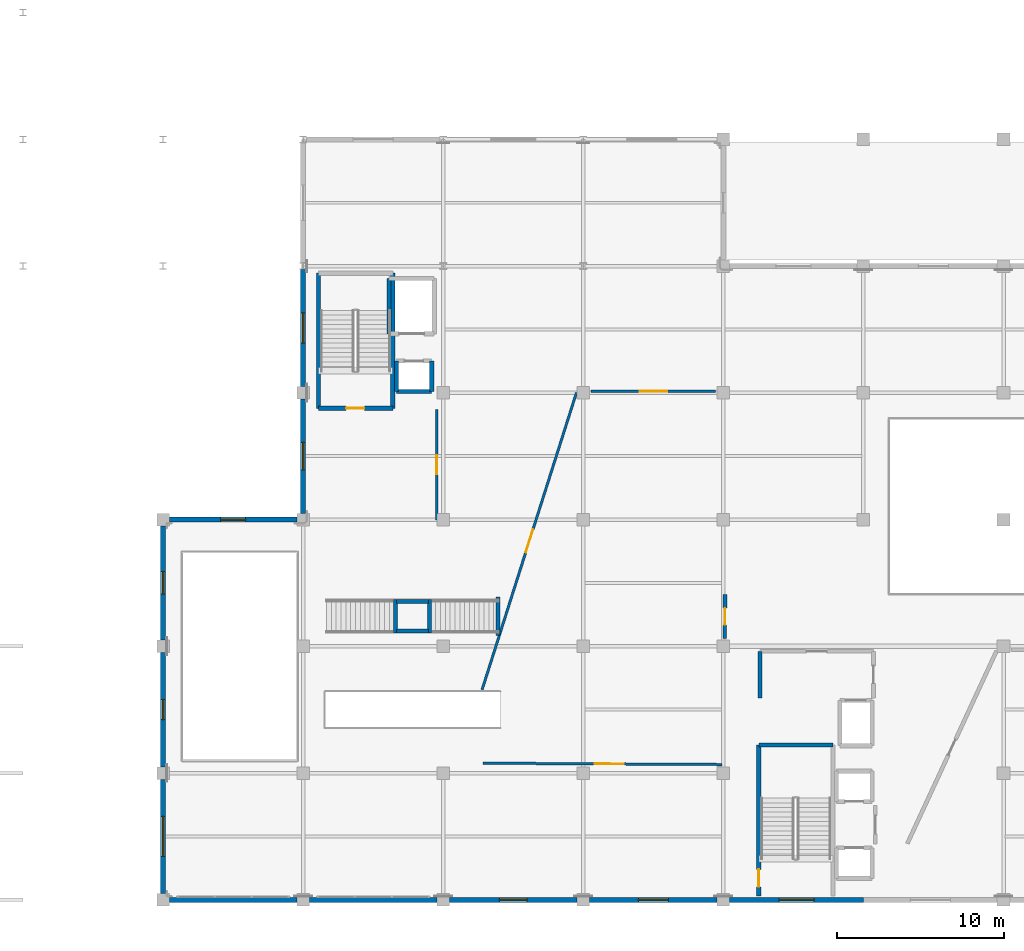
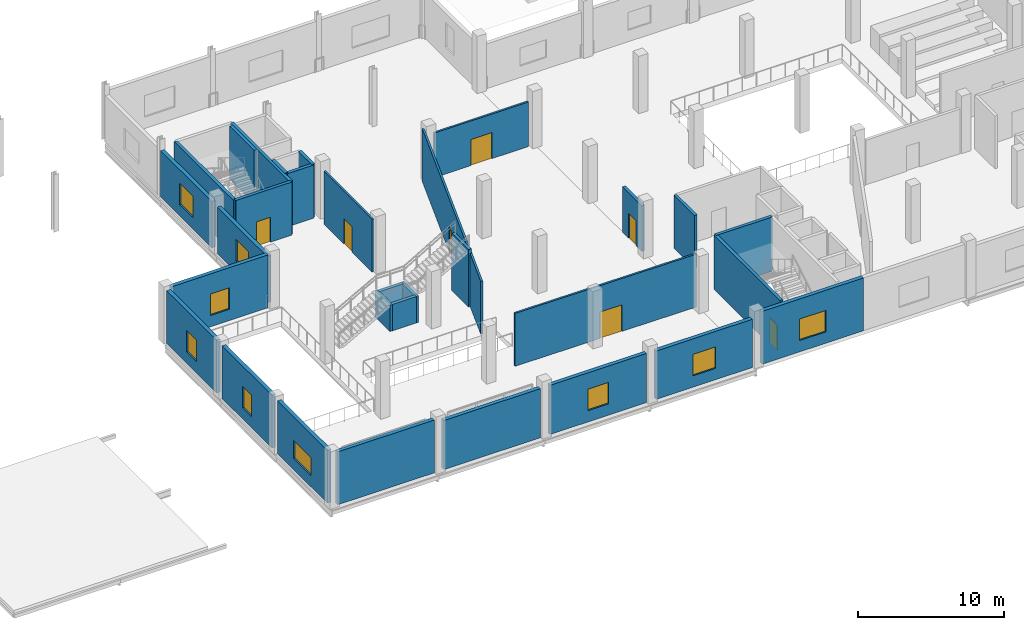
# One storey, part 24 of 51: 31 walls, 9 windows, 7 doors, 16 openings.
"""IFC4 building model written with IfcOpenShell, lengths in metres."""

import ifcopenshell
import ifcopenshell.guid

model = None  # the IFC model being written
_history = None  # IfcOwnerHistory: only IFC2X3 demands one
_inside = {}  # id of a spatial element -> (the spatial element, [elements in it])
_under = {}  # id of a project, library or spatial element -> (it, [spatial elements below it])
_declared = {}  # id of a project -> (the project, [libraries it declares])
_typed = {}  # id of a type object -> (the type object, [elements of that type])
_made_of = {}  # id of a material, layer set ... -> (it, [elements and type objects made of it])


def new_model(schema):
    """Start an empty IFC model of exactly this schema.

    Asked for "IFC4X3", IfcOpenShell would pick the latest addendum, in which some entities
    have other attributes; the version numbers below select the first issue.
    IFC2X3 requires an IfcOwnerHistory on every rooted entity: one is made here for all.
    """
    global model, _history
    if schema == "IFC4X3":
        model = ifcopenshell.file(schema_version=(4, 3, 0, 0))
    else:
        model = ifcopenshell.file(schema=schema)
    _inside.clear()
    _under.clear()
    _declared.clear()
    _typed.clear()
    _made_of.clear()
    _history = None
    if model.schema == "IFC2X3":
        org = make("IfcOrganization", Name="unknown")
        user = make(
            "IfcPersonAndOrganization",
            ThePerson=make("IfcPerson", FamilyName="unknown"),
            TheOrganization=org,
        )
        app = make(
            "IfcApplication",
            ApplicationDeveloper=org,
            Version="unknown",
            ApplicationFullName="unknown",
            ApplicationIdentifier="unknown",
        )
        _history = make(
            "IfcOwnerHistory",
            OwningUser=user,
            OwningApplication=app,
            ChangeAction="ADDED",
            CreationDate=0,
        )
    return model


def make(cls, **values):
    """One entity of the class cls with the attributes given. An attribute that is None is left unset."""
    return model.create_entity(
        cls, **{name: value for name, value in values.items() if value is not None}
    )


def rooted(cls, **values):
    """An entity with a GlobalId (a new one), such as an element, a storey or a relation."""
    return make(cls, GlobalId=ifcopenshell.guid.new(), OwnerHistory=_history, **values)


def si_unit(unit_type, name, prefix=None):
    """IfcSIUnit, for example si_unit("LENGTHUNIT", "METRE", prefix="MILLI")."""
    return make("IfcSIUnit", UnitType=unit_type, Prefix=prefix, Name=name)


def assignment(units):
    """IfcUnitAssignment: the units of a project."""
    return None if units is None else make("IfcUnitAssignment", Units=units)


def point(xyz):
    """IfcCartesianPoint."""
    return None if xyz is None else make("IfcCartesianPoint", Coordinates=xyz)


def direction(xyz):
    """IfcDirection."""
    return None if xyz is None else make("IfcDirection", DirectionRatios=xyz)


def frame(location, z_axis=None, x_axis=None):
    """IfcAxis2Placement3D, a coordinate frame: its origin and axes. An axis left out is left unset."""
    return make(
        "IfcAxis2Placement3D",
        Location=point(location),
        Axis=direction(z_axis),
        RefDirection=direction(x_axis),
    )


def frame_2d(location, x_axis=None):
    """IfcAxis2Placement2D, a coordinate frame in the plane: its origin and x axis."""
    return make(
        "IfcAxis2Placement2D", Location=point(location), RefDirection=direction(x_axis)
    )


def origin():
    """The frame at (0, 0, 0) with its axes left unset."""
    return frame((0.0, 0.0, 0.0))


def place(relative_to, where):
    """IfcLocalPlacement: puts the frame where relative to a parent placement (None: the world)."""
    return make(
        "IfcLocalPlacement", PlacementRelTo=relative_to, RelativePlacement=where
    )


def context(
    kind, dimensions, precision=None, world=None, true_north=None, identifier=None
):
    """IfcGeometricRepresentationContext, for example the 3D "Model" context."""
    return make(
        "IfcGeometricRepresentationContext",
        ContextIdentifier=identifier,
        ContextType=kind,
        CoordinateSpaceDimension=dimensions,
        Precision=precision,
        WorldCoordinateSystem=world,
        TrueNorth=true_north,
    )


def subcontext(parent, identifier, kind, view, scale=None):
    """IfcGeometricRepresentationSubContext, for example "Body" below "Model"."""
    return make(
        "IfcGeometricRepresentationSubContext",
        ContextIdentifier=identifier,
        ContextType=kind,
        ParentContext=parent,
        TargetScale=scale,
        TargetView=view,
    )


def project(units=None, contexts=None):
    """IfcProject with its units and contexts."""
    return rooted(
        "IfcProject",
        Name="project",
        RepresentationContexts=contexts,
        UnitsInContext=assignment(units),
    )


def spatial(cls, under=None, at=None, **own):
    """A site, building, storey or space (cls), placed at a placement, below another one or the project."""
    s = rooted(cls, ObjectPlacement=at, **own)
    if under is not None:
        _under.setdefault(under.id(), (under, []))[1].append(s)
    return s


def profile(cls, at=None, kind="AREA", **sizes):
    """A parametric profile (cls). Its sizes go by their IFC names, for example OverallWidth=200.0."""
    return make(cls, ProfileType=kind, Position=at, **sizes)


def rectangle(**sizes):
    """IfcRectangleProfileDef."""
    return profile("IfcRectangleProfileDef", **sizes)


def extrude(swept, where, along, depth):
    """IfcExtrudedAreaSolid: the profile swept, set in the frame where, extruded along a direction by depth."""
    return make(
        "IfcExtrudedAreaSolid",
        SweptArea=swept,
        Position=where,
        ExtrudedDirection=direction(along),
        Depth=depth,
    )


def shape(context_of_items, identifier, shape_type, items):
    """IfcShapeRepresentation: the items that make up one representation, for example the "Body"."""
    return make(
        "IfcShapeRepresentation",
        ContextOfItems=context_of_items,
        RepresentationIdentifier=identifier,
        RepresentationType=shape_type,
        Items=items,
    )


def material(Name=None, Category=None):
    """IfcMaterial."""
    return make("IfcMaterial", Name=Name, Category=Category)


def layer(
    of_material, thickness, ventilated=None, Name=None, Category=None, Priority=None
):
    """IfcMaterialLayer: one layer of a wall or slab, of a material (None: an air gap)."""
    return make(
        "IfcMaterialLayer",
        Material=of_material,
        LayerThickness=thickness,
        IsVentilated=ventilated,
        Name=Name,
        Category=Category,
        Priority=Priority,
    )


def layer_set(layers, Name=None):
    """IfcMaterialLayerSet."""
    return make("IfcMaterialLayerSet", MaterialLayers=layers, LayerSetName=Name)


def made_of(thing, what):
    """Note that an element or type object is made of a material, layer set ...; save() writes the relation."""
    if what is not None:
        _made_of.setdefault(what.id(), (what, []))[1].append(thing)
    return thing


def type_object(cls, material=None, **own):
    """A type object (cls), such as IfcWallType, which elements share."""
    return made_of(rooted(cls, **own), material)


def element(
    cls,
    number,
    at=None,
    inside=None,
    cuts=None,
    type_object=None,
    material=None,
    context=None,
    identifier="Body",
    shape_type=None,
    held_by="IfcProductDefinitionShape",
    body=None,
    shapes=None,
    **own,
):
    """One element of the class cls, such as IfcWall. Its Tag is "e" and its number.

    at: its placement. inside: the storey or other place that contains it. cuts: it is an
    opening in that element (IfcRelVoidsElement). A single representation is given by context,
    identifier, shape_type and body (its items); several are given by shapes. held_by: the class
    of the entity that holds the representations. save() writes the other relations.
    """
    e = rooted(cls, Tag="e%d" % number, ObjectPlacement=at, **own)
    if body is not None:
        shapes = [shape(context, identifier, shape_type, body)]
    if shapes is not None:
        e.Representation = make(held_by, Representations=shapes)
    if inside is not None:
        _inside.setdefault(inside.id(), (inside, []))[1].append(e)
    if cuts is not None:
        rooted(
            "IfcRelVoidsElement", RelatingBuildingElement=cuts, RelatedOpeningElement=e
        )
    if type_object is not None:
        _typed.setdefault(type_object.id(), (type_object, []))[1].append(e)
    return made_of(e, material)


def fill(opening, filler):
    """IfcRelFillsElement: the door or window that sits in an opening."""
    return rooted(
        "IfcRelFillsElement",
        RelatingOpeningElement=opening,
        RelatedBuildingElement=filler,
    )


def aggregate(whole, parts):
    """IfcRelAggregates: a whole, such as a stair, and the parts it consists of."""
    return rooted("IfcRelAggregates", RelatingObject=whole, RelatedObjects=parts)


def save(model, path):
    """Write the relations noted so far, then the file.

    IfcRelAggregates (storeys below a building ...), IfcRelContainedInSpatialStructure (elements
    in a storey), IfcRelDefinesByType, IfcRelAssociatesMaterial and IfcRelDeclares: one each for
    every whole, place, type object, material and project.
    """
    for whole, parts in _under.values():
        aggregate(whole, parts)
    for where, things in _inside.values():
        rooted(
            "IfcRelContainedInSpatialStructure",
            RelatedElements=things,
            RelatingStructure=where,
        )
    for kind, things in _typed.values():
        rooted("IfcRelDefinesByType", RelatedObjects=things, RelatingType=kind)
    for what, things in _made_of.values():
        rooted("IfcRelAssociatesMaterial", RelatedObjects=things, RelatingMaterial=what)
    for by, libraries in _declared.values():
        rooted("IfcRelDeclares", RelatingContext=by, RelatedDefinitions=libraries)
    model.write(path)


model = new_model("IFC4")

# Units and contexts
model_context = context("Model", 3, precision=1e-05, world=origin(), true_north=direction((0.0, 1.0)))
body_context = subcontext(model_context, "Body", "Model", "MODEL_VIEW")
ifc_project = project(units=[si_unit("LENGTHUNIT", "METRE"), si_unit("AREAUNIT", "SQUARE_METRE"), si_unit("VOLUMEUNIT", "CUBIC_METRE"), si_unit("PLANEANGLEUNIT", "RADIAN"), si_unit("MASSUNIT", "GRAM", prefix="KILO")], contexts=[model_context])

# Site, building, storey
site_placement = place(None, origin())
site = spatial("IfcSite", under=ifc_project, at=site_placement, CompositionType="ELEMENT")
building_placement = place(site_placement, origin())
building = spatial("IfcBuilding", under=site, at=building_placement, Name="Zuvorla Pavilion Media Centre", CompositionType="ELEMENT")
storey_placement = place(building_placement, frame((0.0, 0.0, 4.800048828125)))
storey = spatial("IfcBuildingStorey", under=building, at=storey_placement, Name="L01", CompositionType="ELEMENT", Elevation=4.800048828125)

# Wall
ifc_material_1 = material(Name="Acoustic masonry blockwork C32/40", Category="masonry")
ifc_layer_1 = layer(ifc_material_1, 0.219970703125)
ifc_layer_set_1 = layer_set([ifc_layer_1], Name="Acoustic masonry blockwork C32/40")
wall_type_1 = type_object("IfcWallType", Name="WL-CMP-220", PredefinedType="SOLIDWALL", material=ifc_layer_set_1)
wall_1_placement = place(storey_placement, frame((69.0, 18.10009765625, 0.0), z_axis=(0.0, 0.0, 1.0), x_axis=(0.0, 1.0, 0.0)))
element("IfcWall", 1, at=wall_1_placement, inside=storey, type_object=wall_type_1, Name="L01 solid wall IW22 23", PredefinedType="SOLIDWALL", context=body_context, shape_type="SweptSolid", body=[
    extrude(rectangle(XDim=2.7998046875, YDim=0.219970703125, at=frame_2d((1.39990234375, 0.0))), origin(), (0.0, 0.0, 1.0), 4.429931640625),
])

# Wall, opening, door
wall_2_placement = place(storey_placement, frame((66.890380859375, 21.6650390625, 0.0), z_axis=(0.0, 0.0, 1.0), x_axis=(0.00331032669, 0.999994520854, 0.0)))
wall_2 = element("IfcWall", 2, at=wall_2_placement, inside=storey, type_object=wall_type_1, Name="L01 solid wall IW22 476", PredefinedType="SOLIDWALL", context=body_context, shape_type="SweptSolid", body=[
    extrude(rectangle(XDim=2.655029296875, YDim=0.219970703125, at=frame_2d((1.32763671875, 0.0))), origin(), (0.0, 0.0, 1.0), 3.810302734375),
])
opening_1_placement = place(wall_2_placement, frame((0.827392578125, 0.0, 0.0)))
opening_1 = element("IfcOpeningElement", 3, at=opening_1_placement, cuts=wall_2, Name="Opening FD03", PredefinedType="OPENING", context=body_context, shape_type="SweptSolid", body=[
    extrude(rectangle(XDim=1.0, YDim=2.10009765625, at=frame_2d((0.5, 1.050048828125))), frame((0.0, 0.119873046875, 0.0), z_axis=(0.0, -1.0, 0.0), x_axis=(1.0, 0.0, 0.0)), (0.0, 0.0, 1.0), 0.239990234375),
])
ifc_material_2 = material(Name="Acoustic timber fire door leaf in steel frame", Category="steel")
door_type_1 = type_object("IfcDoorType", Name="DR-INT-FD03", OperationType="NOTDEFINED", PredefinedType="DOOR", material=ifc_material_2)
door_1_placement = place(opening_1_placement, origin())
door_1 = element("IfcDoor", 4, at=door_1_placement, inside=storey, type_object=door_type_1, Name="Interior door FD03 193", OperationType="SINGLE_SWING_LEFT", OverallHeight=2.10009765625, OverallWidth=1.0, PredefinedType="DOOR", context=body_context, shape_type="SweptSolid", body=[
    extrude(rectangle(XDim=1.0, YDim=2.10009765625, at=frame_2d((0.5, 1.050048828125))), frame((0.0, 0.02490234375, 0.0), z_axis=(0.0, -1.0, 0.0), x_axis=(1.0, 0.0, 0.0)), (0.0, 0.0, 1.0), 0.050048828125),
])
fill(opening_1, door_1)

ifc_material_3 = material(Name="Concrete C40/50", Category="concrete")
ifc_layer_2 = layer(ifc_material_3, 0.25)
ifc_layer_set_2 = layer_set([ifc_layer_2], Name="Concrete C40/50")
wall_type_2 = type_object("IfcWallType", Name="WL-COR-250", PredefinedType="SHEAR", material=ifc_layer_set_2)
wall_3_placement = place(storey_placement, frame((68.925048828125, 6.22509765625, 0.0), z_axis=(0.0, 0.0, 1.0), x_axis=(0.0, 1.0, 0.0)))
wall_3 = element("IfcWall", 5, at=wall_3_placement, inside=storey, type_object=wall_type_2, Name="L01 shear wall CW25 19", PredefinedType="SHEAR", context=body_context, shape_type="SweptSolid", body=[
    extrude(rectangle(XDim=9.0498046875, YDim=0.25, at=frame_2d((4.52490234375, 0.0))), origin(), (0.0, 0.0, 1.0), 4.5400390625),
])
opening_2_placement = place(wall_3_placement, frame((0.550048828125, 0.0, 0.0)))
opening_2 = element("IfcOpeningElement", 6, at=opening_2_placement, cuts=wall_3, Name="Opening FD04", PredefinedType="OPENING", context=body_context, shape_type="SweptSolid", body=[
    extrude(rectangle(XDim=1.050048828125, YDim=2.10009765625, at=frame_2d((0.52490234375, 1.050048828125))), frame((0.0, 0.135009765625, 0.0), z_axis=(0.0, -1.0, 0.0), x_axis=(1.0, 0.0, 0.0)), (0.0, 0.0, 1.0), 0.27001953125),
])
door_type_2 = type_object("IfcDoorType", Name="DR-INT-FD04", OperationType="NOTDEFINED", PredefinedType="DOOR", material=ifc_material_2)
door_2_placement = place(opening_2_placement, origin())
door_2 = element("IfcDoor", 7, at=door_2_placement, inside=storey, type_object=door_type_2, Name="Stair ST-01 fire door FD04 9", OperationType="SINGLE_SWING_LEFT", OverallHeight=2.10009765625, OverallWidth=1.050048828125, PredefinedType="DOOR", context=body_context, shape_type="SweptSolid", body=[
    extrude(rectangle(XDim=1.050048828125, YDim=2.10009765625, at=frame_2d((0.52490234375, 1.050048828125))), frame((0.0, 0.02490234375, 0.0), z_axis=(0.0, -1.0, 0.0), x_axis=(1.0, 0.0, 0.0)), (0.0, 0.0, 1.0), 0.050048828125),
])
fill(opening_2, door_2)

# Walls
wall_4_placement = place(storey_placement, frame((68.925048828125, 15.27490234375, 0.0), z_axis=(0.0, 0.0, 1.0), x_axis=(1.0, 0.0, 0.0)))
element("IfcWall", 8, at=wall_4_placement, inside=storey, type_object=wall_type_2, Name="L01 shear wall CW25 21", PredefinedType="SHEAR", context=body_context, shape_type="SweptSolid", body=[
    extrude(rectangle(XDim=4.449951171875, YDim=0.25, at=frame_2d((2.22509765625, 0.0))), origin(), (0.0, 0.0, 1.0), 4.5400390625),
])
for number, where, z_axis, x_axis, name in (
    (9, (42.52490234375, 35.47509765625, 0.0), (0.0, 0.0, 1.0), (0.0, 1.0, 0.0), "L01 shear wall CW25 245"),
    (10, (46.97509765625, 35.47509765625, 0.0), (0.0, 0.0, 1.0), (0.0, 1.0, 0.0), "L01 shear wall CW25 246"),
):
    element("IfcWall", number, at=place(storey_placement, frame(where, z_axis=z_axis, x_axis=x_axis)), inside=storey, type_object=wall_type_2, Name=name, PredefinedType="SHEAR", context=body_context, shape_type="SweptSolid", body=[
        extrude(rectangle(XDim=8.099853515625, YDim=0.25, at=frame_2d((4.0498046875, 0.0))), origin(), (0.0, 0.0, 1.0), 4.449951171875),
    ])

# Wall, opening, door
wall_5_placement = place(storey_placement, frame((42.52490234375, 35.47509765625, 0.0), z_axis=(0.0, 0.0, 1.0), x_axis=(1.0, 0.0, 0.0)))
wall_5 = element("IfcWall", 11, at=wall_5_placement, inside=storey, type_object=wall_type_2, Name="L01 shear wall CW25 248", PredefinedType="SHEAR", context=body_context, shape_type="SweptSolid", body=[
    extrude(rectangle(XDim=4.4501953125, YDim=0.25, at=frame_2d((2.22509765625, 0.0))), origin(), (0.0, 0.0, 1.0), 4.449951171875),
])
opening_3_placement = place(wall_5_placement, frame((1.64990234375, 0.0, 0.0)))
opening_3 = element("IfcOpeningElement", 12, at=opening_3_placement, cuts=wall_5, Name="Opening FD05", PredefinedType="OPENING", context=body_context, shape_type="SweptSolid", body=[
    extrude(rectangle(XDim=1.10009765625, YDim=2.10009765625, at=frame_2d((0.550048828125, 1.050048828125))), frame((0.0, 0.135009765625, 0.0), z_axis=(0.0, -1.0, 0.0), x_axis=(1.0, 0.0, 0.0)), (0.0, 0.0, 1.0), 0.27001953125),
])
door_type_3 = type_object("IfcDoorType", Name="DR-INT-FD05", OperationType="NOTDEFINED", PredefinedType="DOOR", material=ifc_material_2)
door_3_placement = place(opening_3_placement, frame((1.10009765625, 0.0, 0.0), z_axis=(0.0, 0.0, 1.0), x_axis=(-1.0, 0.0, 0.0)))
door_3 = element("IfcDoor", 13, at=door_3_placement, inside=storey, type_object=door_type_3, Name="Stair ST-03 fire door FD05 91", OperationType="SINGLE_SWING_RIGHT", OverallHeight=2.10009765625, OverallWidth=1.10009765625, PredefinedType="DOOR", context=body_context, shape_type="SweptSolid", body=[
    extrude(rectangle(XDim=1.10009765625, YDim=2.10009765625, at=frame_2d((0.550048828125, 1.050048828125))), frame((0.0, 0.02490234375, 0.0), z_axis=(0.0, -1.0, 0.0), x_axis=(1.0, 0.0, 0.0)), (0.0, 0.0, 1.0), 0.050048828125),
])
fill(opening_3, door_3)

# Walls
wall_6_placement = place(storey_placement, frame((47.18994140625, 36.489990234375, 0.0), z_axis=(0.0, 0.0, 1.0), x_axis=(1.0, 0.0, 0.0)))
element("IfcWall", 14, at=wall_6_placement, inside=storey, type_object=wall_type_2, Name="L01 shear wall CW25 269", PredefinedType="SHEAR", context=body_context, shape_type="SweptSolid", body=[
    extrude(rectangle(XDim=2.1201171875, YDim=0.25, at=frame_2d((1.06005859375, 0.0))), origin(), (0.0, 0.0, 1.0), 4.449951171875),
])
for number, where, z_axis, x_axis, name in (
    (15, (47.18994140625, 36.489990234375, 0.0), (0.0, 0.0, 1.0), (0.0, 1.0, 0.0), "L01 shear wall CW25 271"),
    (16, (49.31005859375, 36.489990234375, 0.0), (0.0, 0.0, 1.0), (0.0, 1.0, 0.0), "L01 shear wall CW25 272"),
):
    element("IfcWall", number, at=place(storey_placement, frame(where, z_axis=z_axis, x_axis=x_axis)), inside=storey, type_object=wall_type_2, Name=name, PredefinedType="SHEAR", context=body_context, shape_type="SweptSolid", body=[
        extrude(rectangle(XDim=1.820068359375, YDim=0.25, at=frame_2d((0.91015625, 0.0))), origin(), (0.0, 0.0, 1.0), 4.449951171875),
    ])
wall_7_placement = place(storey_placement, frame((46.739990234375, 39.93994140625, 0.0), z_axis=(0.0, 0.0, 1.0), x_axis=(0.0, 1.0, 0.0)))
element("IfcWall", 17, at=wall_7_placement, inside=storey, type_object=wall_type_2, Name="L01 shear wall CW25 291", PredefinedType="SHEAR", context=body_context, shape_type="SweptSolid", body=[
    extrude(rectangle(XDim=3.320068359375, YDim=0.25, at=frame_2d((1.66015625, 0.0))), origin(), (0.0, 0.0, 1.0), 4.449951171875),
])
for number, where, z_axis, x_axis, name in (
    (18, (47.139892578125, 22.0, 0.0), (0.0, 0.0, 1.0), (0.0, 1.0, 0.0), "L01 shear wall CW25 358"),
    (19, (49.179931640625, 22.0, 0.0), (0.0, 0.0, 1.0), (0.0, 1.0, 0.0), "L01 shear wall CW25 359"),
):
    element("IfcWall", number, at=place(storey_placement, frame(where, z_axis=z_axis, x_axis=x_axis)), inside=storey, type_object=wall_type_2, Name=name, PredefinedType="SHEAR", context=body_context, shape_type="SweptSolid", body=[
        extrude(rectangle(XDim=2.0, YDim=0.25, at=frame_2d((1.0, 0.0))), origin(), (0.0, 0.0, 1.0), 2.2099609375),
    ])
for number, where, z_axis, x_axis, name in (
    (20, (47.2099609375, 22.1201171875, 0.0), (0.0, 0.0, 1.0), (1.0, 0.0, 0.0), "L01 shear wall CW25 360"),
    (21, (47.2099609375, 23.8798828125, 0.0), (0.0, 0.0, 1.0), (1.0, 0.0, 0.0), "L01 shear wall CW25 361"),
):
    element("IfcWall", number, at=place(storey_placement, frame(where, z_axis=z_axis, x_axis=x_axis)), inside=storey, type_object=wall_type_2, Name=name, PredefinedType="SHEAR", context=body_context, shape_type="SweptSolid", body=[
        extrude(rectangle(XDim=1.900146484375, YDim=0.25, at=frame_2d((0.9501953125, 0.0))), origin(), (0.0, 0.0, 1.0), 2.2099609375),
    ])
wall_8_placement = place(storey_placement, frame((53.280029296875, 21.85009765625, 0.0), z_axis=(0.0, 0.0, 1.0), x_axis=(0.0, 1.0, 0.0)))
element("IfcWall", 22, at=wall_8_placement, inside=storey, type_object=wall_type_2, Name="L01 shear wall CW25 362", PredefinedType="SHEAR", context=body_context, shape_type="SweptSolid", body=[
    extrude(rectangle(XDim=2.2998046875, YDim=0.25, at=frame_2d((1.14990234375, 0.0))), origin(), (0.0, 0.0, 1.0), 4.7978515625),
])

# Wall, opening, window
ifc_material_4 = material(Name="White rendered concrete C32/40", Category="concrete")
ifc_layer_3 = layer(ifc_material_4, 0.300048828125)
ifc_layer_set_3 = layer_set([ifc_layer_3], Name="White rendered concrete C32/40")
wall_type_3 = type_object("IfcWallType", Name="WL-EXT-300", PredefinedType="SOLIDWALL", material=ifc_layer_set_3)
wall_9_placement = place(storey_placement, frame((50.375, 6.0, 0.0), z_axis=(0.0, 0.0, 1.0), x_axis=(1.0, 0.0, 0.0)))
wall_9 = element("IfcWall", 23, at=wall_9_placement, inside=storey, type_object=wall_type_3, Name="L01 exterior solid wall EW03 160", PredefinedType="SOLIDWALL", context=body_context, shape_type="SweptSolid", body=[
    extrude(rectangle(XDim=7.64990234375, YDim=0.300048828125, at=frame_2d((3.824951171875, 0.0))), origin(), (0.0, 0.0, 1.0), 4.116943359375),
])
opening_4_placement = place(wall_9_placement, frame((3.0, 0.0, 0.949951171875)))
opening_4 = element("IfcOpeningElement", 24, at=opening_4_placement, cuts=wall_9, Name="Opening WN11", PredefinedType="OPENING", context=body_context, shape_type="SweptSolid", body=[
    extrude(rectangle(XDim=1.64990234375, YDim=1.800048828125, at=frame_2d((0.824951171875, 0.89990234375))), frame((0.0, 0.159912109375, 0.0), z_axis=(0.0, -1.0, 0.0), x_axis=(1.0, 0.0, 0.0)), (0.0, 0.0, 1.0), 0.320068359375),
])
ifc_material_5 = material(Name="Anodised aluminium frame with solar double glazing", Category="aluminium")
window_type_1 = type_object("IfcWindowType", Name="WIN-WN11", PartitioningType="SINGLE_PANEL", PredefinedType="WINDOW", material=ifc_material_5)
window_1_placement = place(opening_4_placement, origin())
window_1 = element("IfcWindow", 25, at=window_1_placement, inside=storey, type_object=window_type_1, Name="L01 window WN11 39", OverallHeight=1.800048828125, OverallWidth=1.64990234375, PartitioningType="SINGLE_PANEL", PredefinedType="WINDOW", context=body_context, shape_type="SweptSolid", body=[
    extrude(rectangle(XDim=1.64990234375, YDim=1.800048828125, at=frame_2d((0.824951171875, 0.89990234375))), frame((0.0, 0.030029296875, 0.0), z_axis=(0.0, -1.0, 0.0), x_axis=(1.0, 0.0, 0.0)), (0.0, 0.0, 1.0), 0.06005859375),
])
fill(opening_4, window_1)

wall_10_placement = place(storey_placement, frame((58.77490234375, 6.0, 0.0), z_axis=(0.0, 0.0, 1.0), x_axis=(1.0, 0.0, 0.0)))
wall_10 = element("IfcWall", 26, at=wall_10_placement, inside=storey, type_object=wall_type_3, Name="L01 exterior solid wall EW03 161", PredefinedType="SOLIDWALL", context=body_context, shape_type="SweptSolid", body=[
    extrude(rectangle(XDim=7.650146484375, YDim=0.300048828125, at=frame_2d((3.8251953125, 0.0))), origin(), (0.0, 0.0, 1.0), 4.046875),
])
opening_5_placement = place(wall_10_placement, frame((2.925048828125, 0.0, 0.949951171875)))
opening_5 = element("IfcOpeningElement", 27, at=opening_5_placement, cuts=wall_10, Name="Opening WN12", PredefinedType="OPENING", context=body_context, shape_type="SweptSolid", body=[
    extrude(rectangle(XDim=1.800048828125, YDim=1.800048828125, at=frame_2d((0.89990234375, 0.89990234375))), frame((0.0, 0.159912109375, 0.0), z_axis=(0.0, -1.0, 0.0), x_axis=(1.0, 0.0, 0.0)), (0.0, 0.0, 1.0), 0.320068359375),
])
window_type_2 = type_object("IfcWindowType", Name="WIN-WN12", PartitioningType="DOUBLE_PANEL_VERTICAL", PredefinedType="WINDOW", material=ifc_material_5)
window_2_placement = place(opening_5_placement, origin())
window_2 = element("IfcWindow", 28, at=window_2_placement, inside=storey, type_object=window_type_2, Name="L01 window WN12 40", OverallHeight=1.800048828125, OverallWidth=1.800048828125, PartitioningType="DOUBLE_PANEL_VERTICAL", PredefinedType="WINDOW", context=body_context, shape_type="SweptSolid", body=[
    extrude(rectangle(XDim=1.800048828125, YDim=1.800048828125, at=frame_2d((0.89990234375, 0.89990234375))), frame((0.0, 0.030029296875, 0.0), z_axis=(0.0, -1.0, 0.0), x_axis=(1.0, 0.0, 0.0)), (0.0, 0.0, 1.0), 0.06005859375),
])
fill(opening_5, window_2)

wall_11_placement = place(storey_placement, frame((67.175048828125, 6.0, 0.0), z_axis=(0.0, 0.0, 1.0), x_axis=(1.0, 0.0, 0.0)))
wall_11 = element("IfcWall", 29, at=wall_11_placement, inside=storey, type_object=wall_type_3, Name="L01 exterior solid wall EW03 162", PredefinedType="SOLIDWALL", context=body_context, shape_type="SweptSolid", body=[
    extrude(rectangle(XDim=8.02490234375, YDim=0.300048828125, at=frame_2d((4.012451171875, 0.0))), origin(), (0.0, 0.0, 1.0), 4.429931640625),
])
opening_6_placement = place(wall_11_placement, frame((2.96240234375, 0.0, 0.949951171875)))
opening_6 = element("IfcOpeningElement", 30, at=opening_6_placement, cuts=wall_11, Name="Opening WN13", PredefinedType="OPENING", context=body_context, shape_type="SweptSolid", body=[
    extrude(rectangle(XDim=2.10009765625, YDim=1.800048828125, at=frame_2d((1.050048828125, 0.89990234375))), frame((0.0, 0.159912109375, 0.0), z_axis=(0.0, -1.0, 0.0), x_axis=(1.0, 0.0, 0.0)), (0.0, 0.0, 1.0), 0.320068359375),
])
window_type_3 = type_object("IfcWindowType", Name="WIN-WN13", PartitioningType="DOUBLE_PANEL_VERTICAL", PredefinedType="WINDOW", material=ifc_material_5)
window_3_placement = place(opening_6_placement, origin())
window_3 = element("IfcWindow", 31, at=window_3_placement, inside=storey, type_object=window_type_3, Name="L01 window WN13 41", OverallHeight=1.800048828125, OverallWidth=2.10009765625, PartitioningType="DOUBLE_PANEL_VERTICAL", PredefinedType="WINDOW", context=body_context, shape_type="SweptSolid", body=[
    extrude(rectangle(XDim=2.10009765625, YDim=1.800048828125, at=frame_2d((1.050048828125, 0.89990234375))), frame((0.0, 0.030029296875, 0.0), z_axis=(0.0, -1.0, 0.0), x_axis=(1.0, 0.0, 0.0)), (0.0, 0.0, 1.0), 0.06005859375),
])
fill(opening_6, window_3)

wall_12_placement = place(storey_placement, frame((33.199951171875, 6.375, 0.0), z_axis=(0.0, 0.0, 1.0), x_axis=(0.0, 1.0, 0.0)))
wall_12 = element("IfcWall", 32, at=wall_12_placement, inside=storey, type_object=wall_type_3, Name="L01 exterior solid wall EW03 189", PredefinedType="SOLIDWALL", context=body_context, shape_type="SweptSolid", body=[
    extrude(rectangle(XDim=6.85009765625, YDim=0.300048828125, at=frame_2d((3.425048828125, 0.0))), origin(), (0.0, 0.0, 1.0), 4.429931640625),
])
opening_7_placement = place(wall_12_placement, frame((2.22509765625, 0.0, 0.949951171875)))
opening_7 = element("IfcOpeningElement", 33, at=opening_7_placement, cuts=wall_12, Name="Opening WN07", PredefinedType="OPENING", context=body_context, shape_type="SweptSolid", body=[
    extrude(rectangle(XDim=2.39990234375, YDim=1.5, at=frame_2d((1.199951171875, 0.75))), frame((0.0, 0.159912109375, 0.0), z_axis=(0.0, -1.0, 0.0), x_axis=(1.0, 0.0, 0.0)), (0.0, 0.0, 1.0), 0.320068359375),
])
window_type_4 = type_object("IfcWindowType", Name="WIN-WN07", PartitioningType="DOUBLE_PANEL_VERTICAL", PredefinedType="WINDOW", material=ifc_material_5)
window_4_placement = place(opening_7_placement, origin())
window_4 = element("IfcWindow", 34, at=window_4_placement, inside=storey, type_object=window_type_4, Name="L01 window WN07 63", OverallHeight=1.5, OverallWidth=2.39990234375, PartitioningType="DOUBLE_PANEL_VERTICAL", PredefinedType="WINDOW", context=body_context, shape_type="SweptSolid", body=[
    extrude(rectangle(XDim=2.39990234375, YDim=1.5, at=frame_2d((1.199951171875, 0.75))), frame((0.0, 0.030029296875, 0.0), z_axis=(0.0, -1.0, 0.0), x_axis=(1.0, 0.0, 0.0)), (0.0, 0.0, 1.0), 0.06005859375),
])
fill(opening_7, window_4)

wall_13_placement = place(storey_placement, frame((33.199951171875, 13.97509765625, 0.0), z_axis=(0.0, 0.0, 1.0), x_axis=(0.0, 1.0, 0.0)))
wall_13 = element("IfcWall", 35, at=wall_13_placement, inside=storey, type_object=wall_type_3, Name="L01 exterior solid wall EW03 190", PredefinedType="SOLIDWALL", context=body_context, shape_type="SweptSolid", body=[
    extrude(rectangle(XDim=6.849853515625, YDim=0.300048828125, at=frame_2d((3.4248046875, 0.0))), origin(), (0.0, 0.0, 1.0), 4.429931640625),
])
opening_8_placement = place(wall_13_placement, frame((2.824951171875, 0.0, 0.949951171875)))
opening_8 = element("IfcOpeningElement", 36, at=opening_8_placement, cuts=wall_13, Name="Opening WN08", PredefinedType="OPENING", context=body_context, shape_type="SweptSolid", body=[
    extrude(rectangle(XDim=1.199951171875, YDim=1.800048828125, at=frame_2d((0.60009765625, 0.89990234375))), frame((0.0, 0.159912109375, 0.0), z_axis=(0.0, -1.0, 0.0), x_axis=(1.0, 0.0, 0.0)), (0.0, 0.0, 1.0), 0.320068359375),
])
window_type_5 = type_object("IfcWindowType", Name="WIN-WN08", PartitioningType="SINGLE_PANEL", PredefinedType="WINDOW", material=ifc_material_5)
window_5_placement = place(opening_8_placement, origin())
window_5 = element("IfcWindow", 37, at=window_5_placement, inside=storey, type_object=window_type_5, Name="L01 window WN08 64", OverallHeight=1.800048828125, OverallWidth=1.199951171875, PartitioningType="SINGLE_PANEL", PredefinedType="WINDOW", context=body_context, shape_type="SweptSolid", body=[
    extrude(rectangle(XDim=1.199951171875, YDim=1.800048828125, at=frame_2d((0.60009765625, 0.89990234375))), frame((0.0, 0.030029296875, 0.0), z_axis=(0.0, -1.0, 0.0), x_axis=(1.0, 0.0, 0.0)), (0.0, 0.0, 1.0), 0.06005859375),
])
fill(opening_8, window_5)

wall_14_placement = place(storey_placement, frame((33.199951171875, 21.574951171875, 0.0), z_axis=(0.0, 0.0, 1.0), x_axis=(0.0, 1.0, 0.0)))
wall_14 = element("IfcWall", 38, at=wall_14_placement, inside=storey, type_object=wall_type_3, Name="L01 exterior solid wall EW03 191", PredefinedType="SOLIDWALL", context=body_context, shape_type="SweptSolid", body=[
    extrude(rectangle(XDim=6.85009765625, YDim=0.300048828125, at=frame_2d((3.425048828125, 0.0))), origin(), (0.0, 0.0, 1.0), 4.429931640625),
])
opening_9_placement = place(wall_14_placement, frame((2.75, 0.0, 0.949951171875)))
opening_9 = element("IfcOpeningElement", 39, at=opening_9_placement, cuts=wall_14, Name="Opening WN09", PredefinedType="OPENING", context=body_context, shape_type="SweptSolid", body=[
    extrude(rectangle(XDim=1.35009765625, YDim=1.800048828125, at=frame_2d((0.675048828125, 0.89990234375))), frame((0.0, 0.159912109375, 0.0), z_axis=(0.0, -1.0, 0.0), x_axis=(1.0, 0.0, 0.0)), (0.0, 0.0, 1.0), 0.320068359375),
])
window_type_6 = type_object("IfcWindowType", Name="WIN-WN09", PartitioningType="SINGLE_PANEL", PredefinedType="WINDOW", material=ifc_material_5)
window_6_placement = place(opening_9_placement, origin())
window_6 = element("IfcWindow", 40, at=window_6_placement, inside=storey, type_object=window_type_6, Name="L01 window WN09 65", OverallHeight=1.800048828125, OverallWidth=1.35009765625, PartitioningType="SINGLE_PANEL", PredefinedType="WINDOW", context=body_context, shape_type="SweptSolid", body=[
    extrude(rectangle(XDim=1.35009765625, YDim=1.800048828125, at=frame_2d((0.675048828125, 0.89990234375))), frame((0.0, 0.030029296875, 0.0), z_axis=(0.0, -1.0, 0.0), x_axis=(1.0, 0.0, 0.0)), (0.0, 0.0, 1.0), 0.06005859375),
])
fill(opening_9, window_6)

wall_15_placement = place(storey_placement, frame((33.574951171875, 28.800048828125, 0.0), z_axis=(0.0, 0.0, 1.0), x_axis=(1.0, 0.0, 0.0)))
wall_15 = element("IfcWall", 41, at=wall_15_placement, inside=storey, type_object=wall_type_3, Name="L01 exterior solid wall EW03 192", PredefinedType="SOLIDWALL", context=body_context, shape_type="SweptSolid", body=[
    extrude(rectangle(XDim=7.650146484375, YDim=0.300048828125, at=frame_2d((3.8251953125, 0.0))), origin(), (0.0, 0.0, 1.0), 4.429931640625),
])
opening_10_placement = place(wall_15_placement, frame((3.074951171875, 0.0, 0.949951171875)))
opening_10 = element("IfcOpeningElement", 42, at=opening_10_placement, cuts=wall_15, Name="Opening WN10", PredefinedType="OPENING", context=body_context, shape_type="SweptSolid", body=[
    extrude(rectangle(XDim=1.5, YDim=1.800048828125, at=frame_2d((0.75, 0.89990234375))), frame((0.0, 0.159912109375, 0.0), z_axis=(0.0, -1.0, 0.0), x_axis=(1.0, 0.0, 0.0)), (0.0, 0.0, 1.0), 0.320068359375),
])
window_type_7 = type_object("IfcWindowType", Name="WIN-WN10", PartitioningType="SINGLE_PANEL", PredefinedType="WINDOW", material=ifc_material_5)
window_7_placement = place(opening_10_placement, origin())
window_7 = element("IfcWindow", 43, at=window_7_placement, inside=storey, type_object=window_type_7, Name="L01 window WN10 66", OverallHeight=1.800048828125, OverallWidth=1.5, PartitioningType="SINGLE_PANEL", PredefinedType="WINDOW", context=body_context, shape_type="SweptSolid", body=[
    extrude(rectangle(XDim=1.5, YDim=1.800048828125, at=frame_2d((0.75, 0.89990234375))), frame((0.0, 0.030029296875, 0.0), z_axis=(0.0, -1.0, 0.0), x_axis=(1.0, 0.0, 0.0)), (0.0, 0.0, 1.0), 0.06005859375),
])
fill(opening_10, window_7)

wall_16_placement = place(storey_placement, frame((41.60009765625, 29.175048828125, 0.0), z_axis=(0.0, 0.0, 1.0), x_axis=(0.0, 1.0, 0.0)))
wall_16 = element("IfcWall", 44, at=wall_16_placement, inside=storey, type_object=wall_type_3, Name="L01 exterior solid wall EW03 193", PredefinedType="SOLIDWALL", context=body_context, shape_type="SweptSolid", body=[
    extrude(rectangle(XDim=6.849853515625, YDim=0.300048828125, at=frame_2d((3.4248046875, 0.0))), origin(), (0.0, 0.0, 1.0), 3.88037109375),
])
opening_11_placement = place(wall_16_placement, frame((2.60009765625, 0.0, 0.949951171875)))
opening_11 = element("IfcOpeningElement", 45, at=opening_11_placement, cuts=wall_16, Name="Opening WN11", PredefinedType="OPENING", context=body_context, shape_type="SweptSolid", body=[
    extrude(rectangle(XDim=1.64990234375, YDim=1.800048828125, at=frame_2d((0.824951171875, 0.89990234375))), frame((0.0, 0.159912109375, 0.0), z_axis=(0.0, -1.0, 0.0), x_axis=(1.0, 0.0, 0.0)), (0.0, 0.0, 1.0), 0.320068359375),
])
window_8_placement = place(opening_11_placement, origin())
window_8 = element("IfcWindow", 46, at=window_8_placement, inside=storey, type_object=window_type_1, Name="L01 window WN11 67", OverallHeight=1.800048828125, OverallWidth=1.64990234375, PartitioningType="SINGLE_PANEL", PredefinedType="WINDOW", context=body_context, shape_type="SweptSolid", body=[
    extrude(rectangle(XDim=1.64990234375, YDim=1.800048828125, at=frame_2d((0.824951171875, 0.89990234375))), frame((0.0, 0.030029296875, 0.0), z_axis=(0.0, -1.0, 0.0), x_axis=(1.0, 0.0, 0.0)), (0.0, 0.0, 1.0), 0.06005859375),
])
fill(opening_11, window_8)

wall_17_placement = place(storey_placement, frame((41.60009765625, 36.77490234375, 0.0), z_axis=(0.0, 0.0, 1.0), x_axis=(0.0, 1.0, 0.0)))
wall_17 = element("IfcWall", 47, at=wall_17_placement, inside=storey, type_object=wall_type_3, Name="L01 exterior solid wall EW03 194", PredefinedType="SOLIDWALL", context=body_context, shape_type="SweptSolid", body=[
    extrude(rectangle(XDim=7.0283203125, YDim=0.300048828125, at=frame_2d((3.51416015625, 0.0))), origin(), (0.0, 0.0, 1.0), 3.88037109375),
])
opening_12_placement = place(wall_17_placement, frame((2.614013671875, 0.0, 0.949951171875)))
opening_12 = element("IfcOpeningElement", 48, at=opening_12_placement, cuts=wall_17, Name="Opening WN12", PredefinedType="OPENING", context=body_context, shape_type="SweptSolid", body=[
    extrude(rectangle(XDim=1.800048828125, YDim=1.800048828125, at=frame_2d((0.89990234375, 0.89990234375))), frame((0.0, 0.159912109375, 0.0), z_axis=(0.0, -1.0, 0.0), x_axis=(1.0, 0.0, 0.0)), (0.0, 0.0, 1.0), 0.320068359375),
])
window_9_placement = place(opening_12_placement, origin())
window_9 = element("IfcWindow", 49, at=window_9_placement, inside=storey, type_object=window_type_2, Name="L01 window WN12 68", OverallHeight=1.800048828125, OverallWidth=1.800048828125, PartitioningType="DOUBLE_PANEL_VERTICAL", PredefinedType="WINDOW", context=body_context, shape_type="SweptSolid", body=[
    extrude(rectangle(XDim=1.800048828125, YDim=1.800048828125, at=frame_2d((0.89990234375, 0.89990234375))), frame((0.0, 0.030029296875, 0.0), z_axis=(0.0, -1.0, 0.0), x_axis=(1.0, 0.0, 0.0)), (0.0, 0.0, 1.0), 0.06005859375),
])
fill(opening_12, window_9)

# Walls
wall_18_placement = place(storey_placement, frame((33.574951171875, 6.0, 0.0), z_axis=(0.0, 0.0, 1.0), x_axis=(1.0, 0.0, 0.0)))
element("IfcWall", 50, at=wall_18_placement, inside=storey, type_object=wall_type_3, Name="L01 exterior solid wall EW03 200", PredefinedType="SOLIDWALL", context=body_context, shape_type="SweptSolid", body=[
    extrude(rectangle(XDim=7.650146484375, YDim=0.300048828125, at=frame_2d((3.8251953125, 0.0))), origin(), (0.0, 0.0, 1.0), 4.429931640625),
])
wall_19_placement = place(storey_placement, frame((41.97509765625, 6.0, 0.0), z_axis=(0.0, 0.0, 1.0), x_axis=(1.0, 0.0, 0.0)))
element("IfcWall", 51, at=wall_19_placement, inside=storey, type_object=wall_type_3, Name="L01 exterior solid wall EW03 201", PredefinedType="SOLIDWALL", context=body_context, shape_type="SweptSolid", body=[
    extrude(rectangle(XDim=7.64990234375, YDim=0.300048828125, at=frame_2d((3.824951171875, 0.0))), origin(), (0.0, 0.0, 1.0), 4.116943359375),
])

# Wall, opening, door
ifc_material_6 = material(Name="Acoustic gypsum stud partition")
ifc_layer_4 = layer(ifc_material_6, 0.14990234375)
ifc_layer_set_4 = layer_set([ifc_layer_4], Name="Acoustic gypsum stud partition")
wall_type_4 = type_object("IfcWallType", Name="WL-PRT-150", PredefinedType="PARTITIONING", material=ifc_layer_set_4)
wall_20_placement = place(storey_placement, frame((49.60009765625, 28.780517578125, 0.0), z_axis=(0.0, 0.0, 1.0), x_axis=(0.001473511993, 0.999998914381, 0.0)))
wall_20 = element("IfcWall", 52, at=wall_20_placement, inside=storey, type_object=wall_type_4, Name="L01 partition PT15 469", PredefinedType="PARTITIONING", context=body_context, shape_type="SweptSolid", body=[
    extrude(rectangle(XDim=6.62744140625, YDim=0.14990234375, at=frame_2d((3.313720703125, 0.0))), origin(), (0.0, 0.0, 1.0), 4.429931640625),
])
opening_13_placement = place(wall_20_placement, frame((2.73876953125, 0.0, 0.0)))
opening_13 = element("IfcOpeningElement", 53, at=opening_13_placement, cuts=wall_20, Name="Opening ID06", PredefinedType="OPENING", context=body_context, shape_type="SweptSolid", body=[
    extrude(rectangle(XDim=1.14990234375, YDim=2.1201171875, at=frame_2d((0.574951171875, 1.06005859375))), frame((0.0, 0.0849609375, 0.0), z_axis=(0.0, -1.0, 0.0), x_axis=(1.0, 0.0, 0.0)), (0.0, 0.0, 1.0), 0.169921875),
])
ifc_material_7 = material(Name="Hardwood acoustic studio door in anodised frame", Category="wood")
door_type_4 = type_object("IfcDoorType", Name="DR-UNR-ID06", OperationType="NOTDEFINED", PredefinedType="DOOR", material=ifc_material_7)
door_4_placement = place(opening_13_placement, origin())
door_4 = element("IfcDoor", 54, at=door_4_placement, inside=storey, type_object=door_type_4, Name="Interior door ID06 186", OperationType="SINGLE_SWING_RIGHT", OverallHeight=2.1201171875, OverallWidth=1.14990234375, PredefinedType="DOOR", context=body_context, shape_type="SweptSolid", body=[
    extrude(rectangle(XDim=1.14990234375, YDim=2.1201171875, at=frame_2d((0.574951171875, 1.06005859375))), frame((0.0, 0.02490234375, 0.0), z_axis=(0.0, -1.0, 0.0), x_axis=(1.0, 0.0, 0.0)), (0.0, 0.0, 1.0), 0.050048828125),
])
fill(opening_13, door_4)

wall_21_placement = place(storey_placement, frame((57.99072265625, 36.413818359375, 0.0), z_axis=(0.0, 0.0, 1.0), x_axis=(-0.302738717052, -0.953073590652, 0.0)))
wall_21 = element("IfcWall", 55, at=wall_21_placement, inside=storey, type_object=wall_type_4, Name="L01 partition PT15 477", PredefinedType="PARTITIONING", context=body_context, shape_type="SweptSolid", body=[
    extrude(rectangle(XDim=18.684326171875, YDim=0.14990234375, at=frame_2d((9.34228515625, 0.0))), origin(), (0.0, 0.0, 1.0), 4.429931640625),
])
opening_14_placement = place(wall_21_placement, frame((8.6171875, 0.0, 0.0)))
opening_14 = element("IfcOpeningElement", 56, at=opening_14_placement, cuts=wall_21, Name="Opening ID09", PredefinedType="OPENING", context=body_context, shape_type="SweptSolid", body=[
    extrude(rectangle(XDim=1.449951171875, YDim=2.179931640625, at=frame_2d((0.72509765625, 1.08984375))), frame((0.0, 0.0849609375, 0.0), z_axis=(0.0, -1.0, 0.0), x_axis=(1.0, 0.0, 0.0)), (0.0, 0.0, 1.0), 0.169921875),
])
door_type_5 = type_object("IfcDoorType", Name="DR-UNR-ID09", OperationType="NOTDEFINED", PredefinedType="DOOR", material=ifc_material_7)
door_5_placement = place(opening_14_placement, origin())
door_5 = element("IfcDoor", 57, at=door_5_placement, inside=storey, type_object=door_type_5, Name="Interior door ID09 194", OperationType="DOUBLE_DOOR_SINGLE_SWING", OverallHeight=2.179931640625, OverallWidth=1.449951171875, PredefinedType="DOOR", context=body_context, shape_type="SweptSolid", body=[
    extrude(rectangle(XDim=1.449951171875, YDim=2.179931640625, at=frame_2d((0.72509765625, 1.08984375))), frame((0.0, 0.02490234375, 0.0), z_axis=(0.0, -1.0, 0.0), x_axis=(1.0, 0.0, 0.0)), (0.0, 0.0, 1.0), 0.050048828125),
])
fill(opening_14, door_5)

wall_22_placement = place(storey_placement, frame((66.3349609375, 36.489990234375, 0.0), z_axis=(0.0, 0.0, 1.0), x_axis=(-1.0, 0.0, 0.0)))
wall_22 = element("IfcWall", 58, at=wall_22_placement, inside=storey, type_object=wall_type_4, Name="L01 partition PT15 478", PredefinedType="PARTITIONING", context=body_context, shape_type="SweptSolid", body=[
    extrude(rectangle(XDim=7.469970703125, YDim=0.14990234375, at=frame_2d((3.73486328125, 0.0))), origin(), (0.0, 0.0, 1.0), 3.73486328125),
])
opening_15_placement = place(wall_22_placement, frame((2.909912109375, 0.0, 0.0)))
opening_15 = element("IfcOpeningElement", 59, at=opening_15_placement, cuts=wall_22, Name="Opening ID10", PredefinedType="OPENING", context=body_context, shape_type="SweptSolid", body=[
    extrude(rectangle(XDim=1.64990234375, YDim=2.179931640625, at=frame_2d((0.824951171875, 1.08984375))), frame((0.0, 0.0849609375, 0.0), z_axis=(0.0, -1.0, 0.0), x_axis=(1.0, 0.0, 0.0)), (0.0, 0.0, 1.0), 0.169921875),
])
door_type_6 = type_object("IfcDoorType", Name="DR-UNR-ID10", OperationType="NOTDEFINED", PredefinedType="DOOR", material=ifc_material_7)
door_6_placement = place(opening_15_placement, origin())
door_6 = element("IfcDoor", 60, at=door_6_placement, inside=storey, type_object=door_type_6, Name="Interior door ID10 195", OperationType="DOUBLE_DOOR_SINGLE_SWING", OverallHeight=2.179931640625, OverallWidth=1.64990234375, PredefinedType="DOOR", context=body_context, shape_type="SweptSolid", body=[
    extrude(rectangle(XDim=1.64990234375, YDim=2.179931640625, at=frame_2d((0.824951171875, 1.08984375))), frame((0.0, 0.02490234375, 0.0), z_axis=(0.0, -1.0, 0.0), x_axis=(1.0, 0.0, 0.0)), (0.0, 0.0, 1.0), 0.050048828125),
])
fill(opening_15, door_6)

wall_23_placement = place(storey_placement, frame((52.39208984375, 14.189697265625, 0.0), z_axis=(0.0, 0.0, 1.0), x_axis=(0.999984666443, -0.005537768443, 0.0)))
wall_23 = element("IfcWall", 61, at=wall_23_placement, inside=storey, type_object=wall_type_4, Name="L01 partition PT15 479", PredefinedType="PARTITIONING", context=body_context, shape_type="SweptSolid", body=[
    extrude(rectangle(XDim=14.328125, YDim=0.14990234375, at=frame_2d((7.1640625, 0.0))), origin(), (0.0, 0.0, 1.0), 4.429931640625),
])
opening_16_placement = place(wall_23_placement, frame((6.689208984375, 0.0, 0.0)))
opening_16 = element("IfcOpeningElement", 62, at=opening_16_placement, cuts=wall_23, Name="Opening ID11", PredefinedType="OPENING", context=body_context, shape_type="SweptSolid", body=[
    extrude(rectangle(XDim=1.75, YDim=2.219970703125, at=frame_2d((0.875, 1.10986328125))), frame((0.0, 0.0849609375, 0.0), z_axis=(0.0, -1.0, 0.0), x_axis=(1.0, 0.0, 0.0)), (0.0, 0.0, 1.0), 0.169921875),
])
door_type_7 = type_object("IfcDoorType", Name="DR-UNR-ID11", OperationType="NOTDEFINED", PredefinedType="DOOR", material=ifc_material_7)
door_7_placement = place(opening_16_placement, origin())
door_7 = element("IfcDoor", 63, at=door_7_placement, inside=storey, type_object=door_type_7, Name="Interior door ID11 196", OperationType="DOUBLE_DOOR_SINGLE_SWING", OverallHeight=2.219970703125, OverallWidth=1.75, PredefinedType="DOOR", context=body_context, shape_type="SweptSolid", body=[
    extrude(rectangle(XDim=1.75, YDim=2.219970703125, at=frame_2d((0.875, 1.10986328125))), frame((0.0, 0.02490234375, 0.0), z_axis=(0.0, -1.0, 0.0), x_axis=(1.0, 0.0, 0.0)), (0.0, 0.0, 1.0), 0.050048828125),
])
fill(opening_16, door_7)

save(model, "model.ifc")
